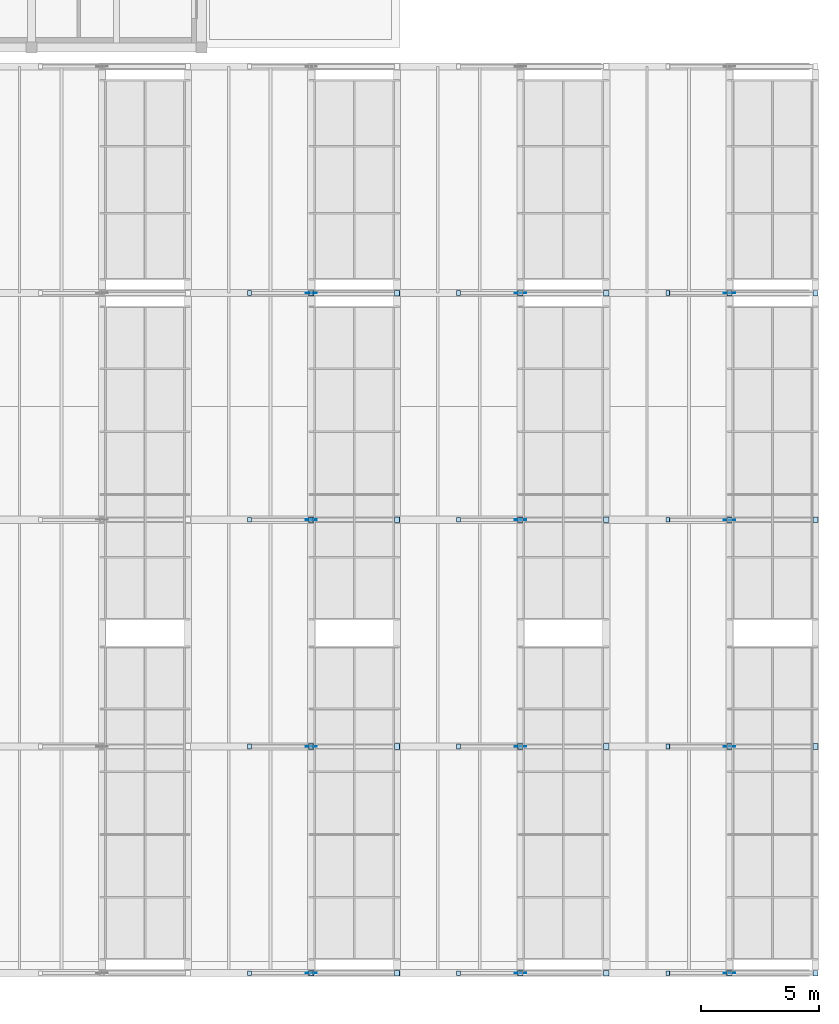
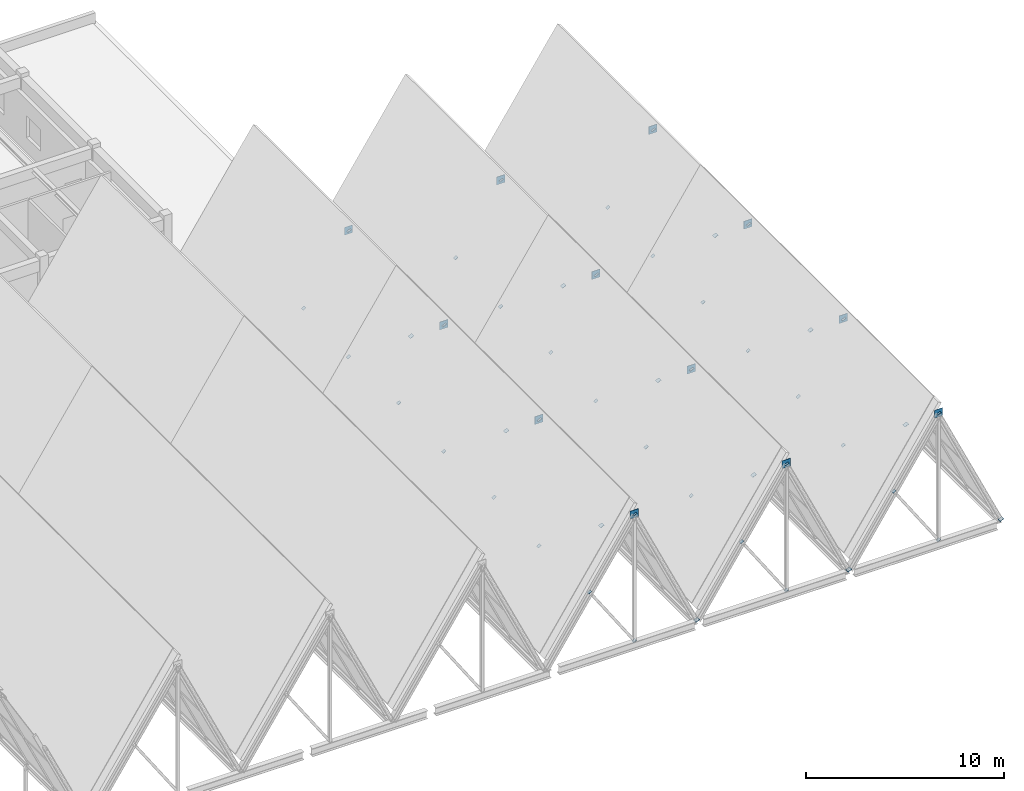
# One storey, part 79 of 99: 60 plates.
"""IFC4 building model written with IfcOpenShell, lengths in metres."""

from ifc_helpers import new_model, si_unit, direction, frame, origin, origin_2d, place, context, subcontext, project, spatial, rectangle, extrude, material, layer, layer_set, type_object, element, save


model = new_model("IFC4")

# Units and contexts
model_context = context("Model", 3, precision=1e-05, world=origin(), true_north=direction((0.0, 1.0)))
body_context = subcontext(model_context, "Body", "Model", "MODEL_VIEW")
ifc_project = project(units=[si_unit("LENGTHUNIT", "METRE"), si_unit("AREAUNIT", "SQUARE_METRE"), si_unit("VOLUMEUNIT", "CUBIC_METRE"), si_unit("PLANEANGLEUNIT", "RADIAN"), si_unit("MASSUNIT", "GRAM", prefix="KILO")], contexts=[model_context])

# Site, building, storey
site_placement = place(None, origin())
site = spatial("IfcSite", under=ifc_project, at=site_placement, CompositionType="ELEMENT")
building_placement = place(site_placement, origin())
building = spatial("IfcBuilding", under=site, at=building_placement, Name="Bramveld Media Centre", CompositionType="ELEMENT")
storey_placement = place(building_placement, frame((0.0, 0.0, 13.800048828125)))
storey = spatial("IfcBuildingStorey", under=building, at=storey_placement, Name="L03", CompositionType="ELEMENT", Elevation=13.800048828125)

# Plates
ifc_material_1 = material(Name="Steel S355J2", Category="steel")
ifc_layer_1 = layer(ifc_material_1, 0.010009765625)
ifc_layer_set_1 = layer_set([ifc_layer_1], Name="Steel S355J2")
plate_type_1 = type_object("IfcPlateType", Name="PLT-CAP-10", PredefinedType="USERDEFINED", material=ifc_layer_set_1)
for number, where, z_axis, x_axis, name in (
    (1, (164.648681640625, 0.0, 0.0), (0.556174588167, 0.0, -0.83106547725), (0.0, 1.0, 0.0), "Hollow section end cap plate CAP-TRUSS-V1-B05-F1-W0"),
    (2, (162.038330078125, 0.0, 3.89990234375), (-0.556174588167, 0.0, 0.83106547725), (0.0, -1.0, 0.0), "Hollow section end cap plate CAP-TRUSS-V1-B05-F1-W1"),
    (3, (164.648681640625, 9.60009765625, 0.0), (0.556174588167, 0.0, -0.83106547725), (0.0, 1.0, 0.0), "Hollow section end cap plate CAP-TRUSS-V1-B05-F2-W0"),
    (4, (162.038330078125, 9.60009765625, 3.89990234375), (-0.556174588167, 0.0, 0.83106547725), (0.0, -1.0, 0.0), "Hollow section end cap plate CAP-TRUSS-V1-B05-F2-W1"),
):
    element("IfcPlate", number, at=place(storey_placement, frame(where, z_axis=z_axis, x_axis=x_axis)), inside=storey, type_object=plate_type_1, Name=name, ObjectType="CAP PLATE", PredefinedType="USERDEFINED", context=body_context, shape_type="SweptSolid", body=[
        extrude(rectangle(XDim=0.199951171875, YDim=0.199951171875, at=origin_2d()), origin(), (0.0, 0.0, 1.0), 0.010009765625),
    ])
plate_1_placement = place(storey_placement, frame((168.28564453125, 19.199951171875, 0.0), z_axis=(0.422618287099, 0.0, -0.906307775212), x_axis=(0.0, 1.0, 0.0)))
element("IfcPlate", 5, at=plate_1_placement, inside=storey, type_object=plate_type_1, Name="Hollow section end cap plate CAP-TRUSS-V1-B05-F3-B", ObjectType="CAP PLATE", PredefinedType="USERDEFINED", context=body_context, shape_type="SweptSolid", body=[
    extrude(rectangle(XDim=0.239990234375, YDim=0.239990234375, at=origin_2d()), origin(), (0.0, 0.0, 1.0), 0.010009765625),
])
for number, where, z_axis, x_axis, name in (
    (6, (164.648681640625, 19.199951171875, 0.0), (0.556174588167, 0.0, -0.83106547725), (0.0, 1.0, 0.0), "Hollow section end cap plate CAP-TRUSS-V1-B05-F3-W0"),
    (7, (162.038330078125, 19.199951171875, 3.89990234375), (-0.556174588167, 0.0, 0.83106547725), (0.0, -1.0, 0.0), "Hollow section end cap plate CAP-TRUSS-V1-B05-F3-W1"),
):
    element("IfcPlate", number, at=place(storey_placement, frame(where, z_axis=z_axis, x_axis=x_axis)), inside=storey, type_object=plate_type_1, Name=name, ObjectType="CAP PLATE", PredefinedType="USERDEFINED", context=body_context, shape_type="SweptSolid", body=[
        extrude(rectangle(XDim=0.199951171875, YDim=0.199951171875, at=origin_2d()), origin(), (0.0, 0.0, 1.0), 0.010009765625),
    ])
plate_2_placement = place(storey_placement, frame((164.648681640625, 28.800048828125, 7.7998046875), z_axis=(-0.422618287099, 0.0, 0.906307775212), x_axis=(0.0, -1.0, 0.0)))
element("IfcPlate", 8, at=plate_2_placement, inside=storey, type_object=plate_type_1, Name="Hollow section end cap plate CAP-TRUSS-V1-B05-F4-A", ObjectType="CAP PLATE", PredefinedType="USERDEFINED", context=body_context, shape_type="SweptSolid", body=[
    extrude(rectangle(XDim=0.239990234375, YDim=0.239990234375, at=origin_2d()), origin(), (0.0, 0.0, 1.0), 0.010009765625),
])
for number, where, z_axis, x_axis, name in (
    (9, (164.648681640625, 28.800048828125, 0.0), (0.556174588167, 0.0, -0.83106547725), (0.0, 1.0, 0.0), "Hollow section end cap plate CAP-TRUSS-V1-B05-F4-W0"),
    (10, (162.038330078125, 28.800048828125, 3.89990234375), (-0.556174588167, 0.0, 0.83106547725), (0.0, -1.0, 0.0), "Hollow section end cap plate CAP-TRUSS-V1-B05-F4-W1"),
    (11, (173.505615234375, 0.0, 0.0), (0.556174588167, 0.0, -0.83106547725), (0.0, 1.0, 0.0), "Hollow section end cap plate CAP-TRUSS-V1-B06-F1-W0"),
    (12, (170.8955078125, 0.0, 3.89990234375), (-0.556174588167, 0.0, 0.83106547725), (0.0, -1.0, 0.0), "Hollow section end cap plate CAP-TRUSS-V1-B06-F1-W1"),
):
    element("IfcPlate", number, at=place(storey_placement, frame(where, z_axis=z_axis, x_axis=x_axis)), inside=storey, type_object=plate_type_1, Name=name, ObjectType="CAP PLATE", PredefinedType="USERDEFINED", context=body_context, shape_type="SweptSolid", body=[
        extrude(rectangle(XDim=0.199951171875, YDim=0.199951171875, at=origin_2d()), origin(), (0.0, 0.0, 1.0), 0.010009765625),
    ])
plate_3_placement = place(storey_placement, frame((177.142822265625, 9.60009765625, 0.0), z_axis=(0.422627830907, 0.0, -0.9063033248), x_axis=(0.0, 1.0, 0.0)))
element("IfcPlate", 13, at=plate_3_placement, inside=storey, type_object=plate_type_1, Name="Hollow section end cap plate CAP-TRUSS-V1-B06-F2-B", ObjectType="CAP PLATE", PredefinedType="USERDEFINED", context=body_context, shape_type="SweptSolid", body=[
    extrude(rectangle(XDim=0.239990234375, YDim=0.239990234375, at=origin_2d()), origin(), (0.0, 0.0, 1.0), 0.010009765625),
])
for number, where, z_axis, x_axis, name in (
    (14, (173.505615234375, 9.60009765625, 0.0), (0.556174588167, 0.0, -0.83106547725), (0.0, 1.0, 0.0), "Hollow section end cap plate CAP-TRUSS-V1-B06-F2-W0"),
    (15, (170.8955078125, 9.60009765625, 3.89990234375), (-0.556174588167, 0.0, 0.83106547725), (0.0, -1.0, 0.0), "Hollow section end cap plate CAP-TRUSS-V1-B06-F2-W1"),
):
    element("IfcPlate", number, at=place(storey_placement, frame(where, z_axis=z_axis, x_axis=x_axis)), inside=storey, type_object=plate_type_1, Name=name, ObjectType="CAP PLATE", PredefinedType="USERDEFINED", context=body_context, shape_type="SweptSolid", body=[
        extrude(rectangle(XDim=0.199951171875, YDim=0.199951171875, at=origin_2d()), origin(), (0.0, 0.0, 1.0), 0.010009765625),
    ])
plate_4_placement = place(storey_placement, frame((173.505615234375, 19.199951171875, 7.7998046875), z_axis=(-0.422627830907, 0.0, 0.9063033248), x_axis=(0.0, -1.0, 0.0)))
element("IfcPlate", 16, at=plate_4_placement, inside=storey, type_object=plate_type_1, Name="Hollow section end cap plate CAP-TRUSS-V1-B06-F3-A", ObjectType="CAP PLATE", PredefinedType="USERDEFINED", context=body_context, shape_type="SweptSolid", body=[
    extrude(rectangle(XDim=0.239990234375, YDim=0.239990234375, at=origin_2d()), origin(), (0.0, 0.0, 1.0), 0.010009765625),
])
for number, where, z_axis, x_axis, name in (
    (17, (173.505615234375, 19.199951171875, 0.0), (0.556174588167, 0.0, -0.83106547725), (0.0, 1.0, 0.0), "Hollow section end cap plate CAP-TRUSS-V1-B06-F3-W0"),
    (18, (170.8955078125, 19.199951171875, 3.89990234375), (-0.556174588167, 0.0, 0.83106547725), (0.0, -1.0, 0.0), "Hollow section end cap plate CAP-TRUSS-V1-B06-F3-W1"),
    (19, (173.505615234375, 28.800048828125, 0.0), (0.556174588167, 0.0, -0.83106547725), (0.0, 1.0, 0.0), "Hollow section end cap plate CAP-TRUSS-V1-B06-F4-W0"),
    (20, (170.8955078125, 28.800048828125, 3.89990234375), (-0.556174588167, 0.0, 0.83106547725), (0.0, -1.0, 0.0), "Hollow section end cap plate CAP-TRUSS-V1-B06-F4-W1"),
):
    element("IfcPlate", number, at=place(storey_placement, frame(where, z_axis=z_axis, x_axis=x_axis)), inside=storey, type_object=plate_type_1, Name=name, ObjectType="CAP PLATE", PredefinedType="USERDEFINED", context=body_context, shape_type="SweptSolid", body=[
        extrude(rectangle(XDim=0.199951171875, YDim=0.199951171875, at=origin_2d()), origin(), (0.0, 0.0, 1.0), 0.010009765625),
    ])
plate_5_placement = place(storey_placement, frame((186.0, 0.0, 0.0), z_axis=(0.422618287099, 0.0, -0.906307775212), x_axis=(0.0, 1.0, 0.0)))
element("IfcPlate", 21, at=plate_5_placement, inside=storey, type_object=plate_type_1, Name="Hollow section end cap plate CAP-TRUSS-V1-B07-F1-B", ObjectType="CAP PLATE", PredefinedType="USERDEFINED", context=body_context, shape_type="SweptSolid", body=[
    extrude(rectangle(XDim=0.239990234375, YDim=0.239990234375, at=origin_2d()), origin(), (0.0, 0.0, 1.0), 0.010009765625),
])
for number, where, z_axis, x_axis, name in (
    (22, (182.36279296875, 0.0, 0.0), (0.556174588167, 0.0, -0.83106547725), (0.0, 1.0, 0.0), "Hollow section end cap plate CAP-TRUSS-V1-B07-F1-W0"),
    (23, (179.752685546875, 0.0, 3.89990234375), (-0.556174588167, 0.0, 0.83106547725), (0.0, -1.0, 0.0), "Hollow section end cap plate CAP-TRUSS-V1-B07-F1-W1"),
):
    element("IfcPlate", number, at=place(storey_placement, frame(where, z_axis=z_axis, x_axis=x_axis)), inside=storey, type_object=plate_type_1, Name=name, ObjectType="CAP PLATE", PredefinedType="USERDEFINED", context=body_context, shape_type="SweptSolid", body=[
        extrude(rectangle(XDim=0.199951171875, YDim=0.199951171875, at=origin_2d()), origin(), (0.0, 0.0, 1.0), 0.010009765625),
    ])
plate_6_placement = place(storey_placement, frame((182.36279296875, 9.60009765625, 7.7998046875), z_axis=(-0.422618287099, 0.0, 0.906307775212), x_axis=(0.0, -1.0, 0.0)))
element("IfcPlate", 24, at=plate_6_placement, inside=storey, type_object=plate_type_1, Name="Hollow section end cap plate CAP-TRUSS-V1-B07-F2-A", ObjectType="CAP PLATE", PredefinedType="USERDEFINED", context=body_context, shape_type="SweptSolid", body=[
    extrude(rectangle(XDim=0.239990234375, YDim=0.239990234375, at=origin_2d()), origin(), (0.0, 0.0, 1.0), 0.010009765625),
])
for number, where, z_axis, x_axis, name in (
    (25, (182.36279296875, 9.60009765625, 0.0), (0.556174588167, 0.0, -0.83106547725), (0.0, 1.0, 0.0), "Hollow section end cap plate CAP-TRUSS-V1-B07-F2-W0"),
    (26, (179.752685546875, 9.60009765625, 3.89990234375), (-0.556174588167, 0.0, 0.83106547725), (0.0, -1.0, 0.0), "Hollow section end cap plate CAP-TRUSS-V1-B07-F2-W1"),
    (27, (182.36279296875, 19.199951171875, 0.0), (0.556174588167, 0.0, -0.83106547725), (0.0, 1.0, 0.0), "Hollow section end cap plate CAP-TRUSS-V1-B07-F3-W0"),
    (28, (179.752685546875, 19.199951171875, 3.89990234375), (-0.556174588167, 0.0, 0.83106547725), (0.0, -1.0, 0.0), "Hollow section end cap plate CAP-TRUSS-V1-B07-F3-W1"),
    (29, (182.36279296875, 28.800048828125, 0.0), (0.556174588167, 0.0, -0.83106547725), (0.0, 1.0, 0.0), "Hollow section end cap plate CAP-TRUSS-V1-B07-F4-W0"),
    (30, (179.752685546875, 28.800048828125, 3.89990234375), (-0.556174588167, 0.0, 0.83106547725), (0.0, -1.0, 0.0), "Hollow section end cap plate CAP-TRUSS-V1-B07-F4-W1"),
):
    element("IfcPlate", number, at=place(storey_placement, frame(where, z_axis=z_axis, x_axis=x_axis)), inside=storey, type_object=plate_type_1, Name=name, ObjectType="CAP PLATE", PredefinedType="USERDEFINED", context=body_context, shape_type="SweptSolid", body=[
        extrude(rectangle(XDim=0.199951171875, YDim=0.199951171875, at=origin_2d()), origin(), (0.0, 0.0, 1.0), 0.010009765625),
    ])
ifc_material_2 = material(Name="Steel S355J2", Category="steel")
ifc_layer_2 = layer(ifc_material_2, 0.013916015625)
ifc_layer_set_2 = layer_set([ifc_layer_2], Name="Steel S355J2")
plate_type_2 = type_object("IfcPlateType", Name="PLT-CAP-14", PredefinedType="USERDEFINED", material=ifc_layer_set_2)
for number, where, z_axis, x_axis, name in (
    (31, (164.6484375, 0.0, 7.7998046875), (-0.422618287099, 0.0, 0.906307775212), (0.0, -1.0, 0.0), "Hollow section end cap plate CAP-TRUSS-V1-B05-F1-A"),
    (32, (168.285888671875, 28.800048828125, 0.0), (0.422618287099, 0.0, -0.906307775212), (0.0, 1.0, 0.0), "Hollow section end cap plate CAP-TRUSS-V1-B05-F4-B"),
    (33, (177.14306640625, 19.199951171875, 0.0), (0.422627830907, 0.0, -0.9063033248), (0.0, 1.0, 0.0), "Hollow section end cap plate CAP-TRUSS-V1-B06-F3-B"),
    (34, (173.505615234375, 28.800048828125, 7.7998046875), (-0.422627830907, 0.0, 0.9063033248), (0.0, -1.0, 0.0), "Hollow section end cap plate CAP-TRUSS-V1-B06-F4-A"),
    (35, (186.0, 9.60009765625, 0.0), (0.422618287099, 0.0, -0.906307775212), (0.0, 1.0, 0.0), "Hollow section end cap plate CAP-TRUSS-V1-B07-F2-B"),
    (36, (182.36279296875, 19.199951171875, 7.7998046875), (-0.422618287099, 0.0, 0.906307775212), (0.0, -1.0, 0.0), "Hollow section end cap plate CAP-TRUSS-V1-B07-F3-A"),
):
    element("IfcPlate", number, at=place(storey_placement, frame(where, z_axis=z_axis, x_axis=x_axis)), inside=storey, type_object=plate_type_2, Name=name, ObjectType="CAP PLATE", PredefinedType="USERDEFINED", context=body_context, shape_type="SweptSolid", body=[
        extrude(rectangle(XDim=0.239990234375, YDim=0.239990234375, at=origin_2d()), origin(), (0.0, 0.0, 1.0), 0.013916015625),
    ])
ifc_material_3 = material(Name="Steel S355J2", Category="steel")
ifc_layer_3 = layer(ifc_material_3, 0.01806640625)
ifc_layer_set_3 = layer_set([ifc_layer_3], Name="Steel S355J2")
plate_type_3 = type_object("IfcPlateType", Name="PLT-CAP-18", PredefinedType="USERDEFINED", material=ifc_layer_set_3)
for number, where, z_axis, x_axis, name in (
    (37, (168.28564453125, 0.0, 0.0), (0.422618287099, 0.0, -0.906307775212), (0.0, 1.0, 0.0), "Hollow section end cap plate CAP-TRUSS-V1-B05-F1-B"),
    (38, (164.648681640625, 9.60009765625, 7.7998046875), (-0.422618287099, 0.0, 0.906307775212), (0.0, -1.0, 0.0), "Hollow section end cap plate CAP-TRUSS-V1-B05-F2-A"),
    (39, (173.505615234375, 0.0, 7.7998046875), (-0.422627830907, 0.0, 0.9063033248), (0.0, -1.0, 0.0), "Hollow section end cap plate CAP-TRUSS-V1-B06-F1-A"),
    (40, (177.142822265625, 28.800048828125, 0.0), (0.422627830907, 0.0, -0.9063033248), (0.0, 1.0, 0.0), "Hollow section end cap plate CAP-TRUSS-V1-B06-F4-B"),
    (41, (186.0, 19.199951171875, 0.0), (0.422618287099, 0.0, -0.906307775212), (0.0, 1.0, 0.0), "Hollow section end cap plate CAP-TRUSS-V1-B07-F3-B"),
    (42, (182.36279296875, 28.800048828125, 7.7998046875), (-0.422618287099, 0.0, 0.906307775212), (0.0, -1.0, 0.0), "Hollow section end cap plate CAP-TRUSS-V1-B07-F4-A"),
):
    element("IfcPlate", number, at=place(storey_placement, frame(where, z_axis=z_axis, x_axis=x_axis)), inside=storey, type_object=plate_type_3, Name=name, ObjectType="CAP PLATE", PredefinedType="USERDEFINED", context=body_context, shape_type="SweptSolid", body=[
        extrude(rectangle(XDim=0.239990234375, YDim=0.239990234375, at=origin_2d()), origin(), (0.0, 0.0, 1.0), 0.01806640625),
    ])
ifc_material_4 = material(Name="Steel S355J2", Category="steel")
ifc_layer_4 = layer(ifc_material_4, 0.02197265625)
ifc_layer_set_4 = layer_set([ifc_layer_4], Name="Steel S355J2")
plate_type_4 = type_object("IfcPlateType", Name="PLT-CAP-22", PredefinedType="USERDEFINED", material=ifc_layer_set_4)
for number, where, z_axis, x_axis, name in (
    (43, (168.28564453125, 9.60009765625, 0.0), (0.422618287099, 0.0, -0.906307775212), (0.0, 1.0, 0.0), "Hollow section end cap plate CAP-TRUSS-V1-B05-F2-B"),
    (44, (164.6484375, 19.199951171875, 7.800048828125), (-0.422618287099, 0.0, 0.906307775212), (0.0, -1.0, 0.0), "Hollow section end cap plate CAP-TRUSS-V1-B05-F3-A"),
    (45, (177.142822265625, 0.0, 0.0), (0.422627830907, 0.0, -0.9063033248), (0.0, 1.0, 0.0), "Hollow section end cap plate CAP-TRUSS-V1-B06-F1-B"),
    (46, (173.505615234375, 9.60009765625, 7.800048828125), (-0.422627830907, 0.0, 0.9063033248), (0.0, -1.0, 0.0), "Hollow section end cap plate CAP-TRUSS-V1-B06-F2-A"),
    (47, (182.36279296875, 0.0, 7.800048828125), (-0.422618287099, 0.0, 0.906307775212), (0.0, -1.0, 0.0), "Hollow section end cap plate CAP-TRUSS-V1-B07-F1-A"),
    (48, (186.0, 28.800048828125, 0.0), (0.422618287099, 0.0, -0.906307775212), (0.0, 1.0, 0.0), "Hollow section end cap plate CAP-TRUSS-V1-B07-F4-B"),
):
    element("IfcPlate", number, at=place(storey_placement, frame(where, z_axis=z_axis, x_axis=x_axis)), inside=storey, type_object=plate_type_4, Name=name, ObjectType="CAP PLATE", PredefinedType="USERDEFINED", context=body_context, shape_type="SweptSolid", body=[
        extrude(rectangle(XDim=0.239990234375, YDim=0.239990234375, at=origin_2d()), origin(), (0.0, 0.0, 1.0), 0.02197265625),
    ])
ifc_material_5 = material(Name="Steel S355J2", Category="steel")
ifc_layer_5 = layer(ifc_material_5, 0.011962890625)
ifc_layer_set_5 = layer_set([ifc_layer_5], Name="Steel S355J2")
plate_type_5 = type_object("IfcPlateType", Name="PLT-GUSSET-12", PredefinedType="USERDEFINED", material=ifc_layer_set_5)
plate_7_placement = place(storey_placement, frame((164.6484375, 28.800048828125, 7.56005859375), z_axis=(0.0, 0.0, 1.0), x_axis=(1.0, 0.0, 0.0)))
element("IfcPlate", 49, at=plate_7_placement, inside=storey, type_object=plate_type_5, Name="TRUSS-V1-B05-F4 apex node gusset plate", ObjectType="GUSSET PLATE", PredefinedType="USERDEFINED", context=body_context, shape_type="SweptSolid", body=[
    extrude(rectangle(XDim=0.47998046875, YDim=0.011962890625, at=origin_2d()), origin(), (0.0, 0.0, 1.0), 0.47998046875),
])
ifc_material_6 = material(Name="Steel S355J2", Category="steel")
ifc_layer_6 = layer(ifc_material_6, 0.01611328125)
ifc_layer_set_6 = layer_set([ifc_layer_6], Name="Steel S355J2")
plate_type_6 = type_object("IfcPlateType", Name="PLT-GUSSET-16", PredefinedType="USERDEFINED", material=ifc_layer_set_6)
plate_8_placement = place(storey_placement, frame((182.36279296875, 0.0, 7.56005859375), z_axis=(0.0, 0.0, 1.0), x_axis=(1.0, 0.0, 0.0)))
element("IfcPlate", 50, at=plate_8_placement, inside=storey, type_object=plate_type_6, Name="TRUSS-V1-B07-F1 apex node gusset plate", ObjectType="GUSSET PLATE", PredefinedType="USERDEFINED", context=body_context, shape_type="SweptSolid", body=[
    extrude(rectangle(XDim=0.47998046875, YDim=0.01611328125, at=origin_2d()), origin(), (0.0, 0.0, 1.0), 0.47998046875),
])
ifc_material_7 = material(Name="Steel S355J2", Category="steel")
ifc_layer_7 = layer(ifc_material_7, 0.02001953125)
ifc_layer_set_7 = layer_set([ifc_layer_7], Name="Steel S355J2")
plate_type_7 = type_object("IfcPlateType", Name="PLT-GUSSET-20", PredefinedType="USERDEFINED", material=ifc_layer_set_7)
for number, where, z_axis, x_axis, name in (
    (51, (173.505615234375, 0.0, 7.56005859375), (0.0, 0.0, 1.0), (1.0, 0.0, 0.0), "TRUSS-V1-B06-F1 apex node gusset plate"),
    (52, (182.36279296875, 9.60009765625, 7.56005859375), (0.0, 0.0, 1.0), (1.0, 0.0, 0.0), "TRUSS-V1-B07-F2 apex node gusset plate"),
):
    element("IfcPlate", number, at=place(storey_placement, frame(where, z_axis=z_axis, x_axis=x_axis)), inside=storey, type_object=plate_type_7, Name=name, ObjectType="GUSSET PLATE", PredefinedType="USERDEFINED", context=body_context, shape_type="SweptSolid", body=[
        extrude(rectangle(XDim=0.47998046875, YDim=0.02001953125, at=origin_2d()), origin(), (0.0, 0.0, 1.0), 0.47998046875),
    ])
ifc_material_8 = material(Name="Steel S355J2", Category="steel")
ifc_layer_8 = layer(ifc_material_8, 0.02392578125)
ifc_layer_set_8 = layer_set([ifc_layer_8], Name="Steel S355J2")
plate_type_8 = type_object("IfcPlateType", Name="PLT-GUSSET-24", PredefinedType="USERDEFINED", material=ifc_layer_set_8)
for number, where, z_axis, x_axis, name in (
    (53, (164.6484375, 0.0, 7.56005859375), (0.0, 0.0, 1.0), (1.0, 0.0, 0.0), "TRUSS-V1-B05-F1 apex node gusset plate"),
    (54, (173.505615234375, 9.60009765625, 7.56005859375), (0.0, 0.0, 1.0), (1.0, 0.0, 0.0), "TRUSS-V1-B06-F2 apex node gusset plate"),
    (55, (182.36279296875, 19.199951171875, 7.56005859375), (0.0, 0.0, 1.0), (1.0, 0.0, 0.0), "TRUSS-V1-B07-F3 apex node gusset plate"),
):
    element("IfcPlate", number, at=place(storey_placement, frame(where, z_axis=z_axis, x_axis=x_axis)), inside=storey, type_object=plate_type_8, Name=name, ObjectType="GUSSET PLATE", PredefinedType="USERDEFINED", context=body_context, shape_type="SweptSolid", body=[
        extrude(rectangle(XDim=0.47998046875, YDim=0.02392578125, at=origin_2d()), origin(), (0.0, 0.0, 1.0), 0.47998046875),
    ])
ifc_material_9 = material(Name="Steel S355J2", Category="steel")
ifc_layer_9 = layer(ifc_material_9, 0.028076171875)
ifc_layer_set_9 = layer_set([ifc_layer_9], Name="Steel S355J2")
plate_type_9 = type_object("IfcPlateType", Name="PLT-GUSSET-28", PredefinedType="USERDEFINED", material=ifc_layer_set_9)
for number, where, z_axis, x_axis, name in (
    (56, (164.6484375, 9.60009765625, 7.56005859375), (0.0, 0.0, 1.0), (1.0, 0.0, 0.0), "TRUSS-V1-B05-F2 apex node gusset plate"),
    (57, (173.505615234375, 19.199951171875, 7.56005859375), (0.0, 0.0, 1.0), (1.0, 0.0, 0.0), "TRUSS-V1-B06-F3 apex node gusset plate"),
    (58, (182.36279296875, 28.800048828125, 7.56005859375), (0.0, 0.0, 1.0), (1.0, 0.0, 0.0), "TRUSS-V1-B07-F4 apex node gusset plate"),
):
    element("IfcPlate", number, at=place(storey_placement, frame(where, z_axis=z_axis, x_axis=x_axis)), inside=storey, type_object=plate_type_9, Name=name, ObjectType="GUSSET PLATE", PredefinedType="USERDEFINED", context=body_context, shape_type="SweptSolid", body=[
        extrude(rectangle(XDim=0.47998046875, YDim=0.028076171875, at=origin_2d()), origin(), (0.0, 0.0, 1.0), 0.47998046875),
    ])
ifc_material_10 = material(Name="Steel S355J2", Category="steel")
ifc_layer_10 = layer(ifc_material_10, 0.030029296875)
ifc_layer_set_10 = layer_set([ifc_layer_10], Name="Steel S355J2")
plate_type_10 = type_object("IfcPlateType", Name="PLT-GUSSET-30", PredefinedType="USERDEFINED", material=ifc_layer_set_10)
for number, where, z_axis, x_axis, name in (
    (59, (164.6484375, 19.199951171875, 7.56005859375), (0.0, 0.0, 1.0), (1.0, 0.0, 0.0), "TRUSS-V1-B05-F3 apex node gusset plate"),
    (60, (173.505615234375, 28.800048828125, 7.56005859375), (0.0, 0.0, 1.0), (1.0, 0.0, 0.0), "TRUSS-V1-B06-F4 apex node gusset plate"),
):
    element("IfcPlate", number, at=place(storey_placement, frame(where, z_axis=z_axis, x_axis=x_axis)), inside=storey, type_object=plate_type_10, Name=name, ObjectType="GUSSET PLATE", PredefinedType="USERDEFINED", context=body_context, shape_type="SweptSolid", body=[
        extrude(rectangle(XDim=0.47998046875, YDim=0.030029296875, at=origin_2d()), origin(), (0.0, 0.0, 1.0), 0.47998046875),
    ])

save(model, "model.ifc")
